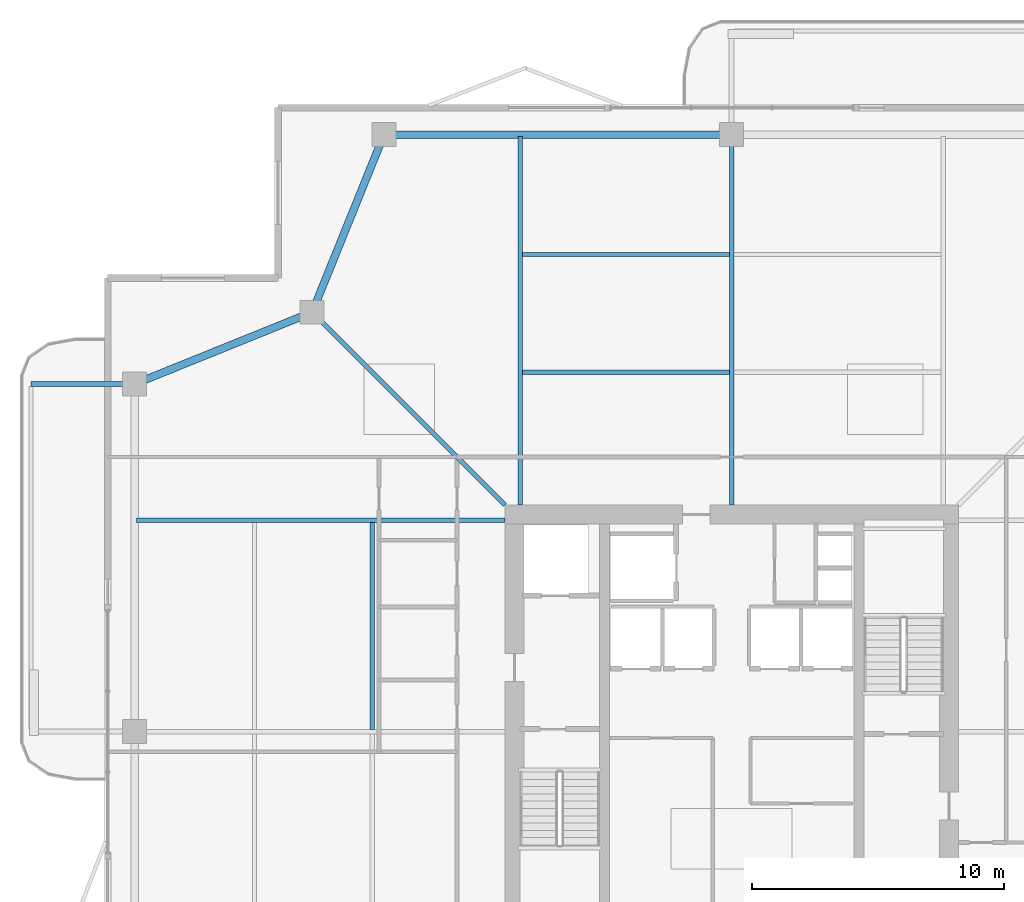
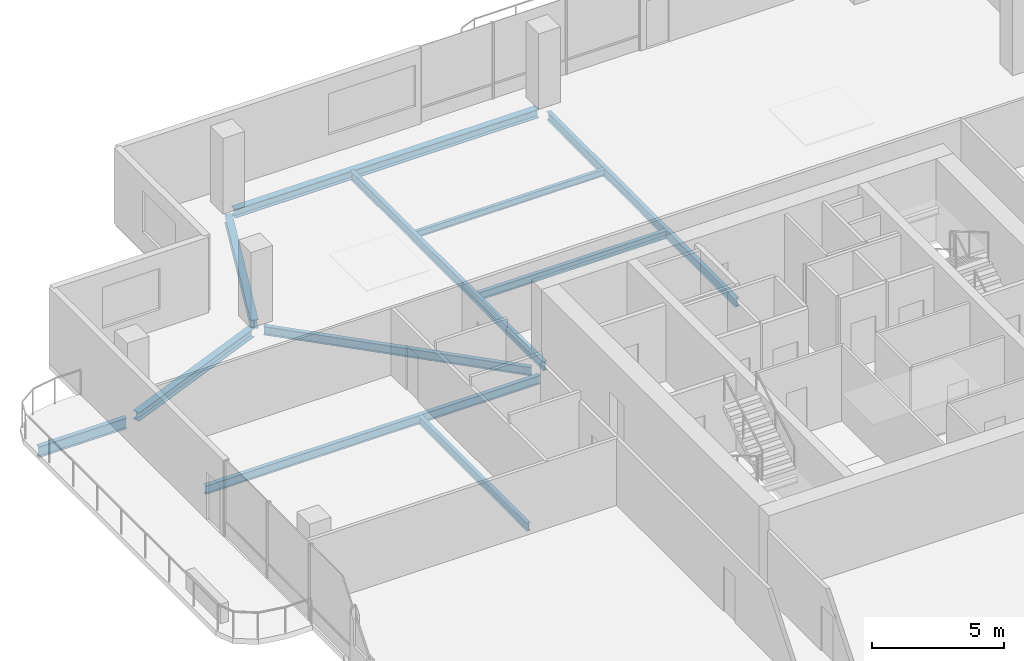
# One storey, part 12 of 23: 11 beams.
"""IFC4 building model written with IfcOpenShell, lengths in metres."""

from ifc_helpers import new_model, si_unit, direction, frame, origin, origin_2d, place, context, subcontext, project, spatial, i_section, extrude, material, material_profile, profile_set, type_object, element, save


model = new_model("IFC4")

# Units and contexts
model_context = context("Model", 3, precision=1e-05, world=origin(), true_north=direction((0.0, 1.0)))
body_context = subcontext(model_context, "Body", "Model", "MODEL_VIEW")
ifc_project = project(units=[si_unit("LENGTHUNIT", "METRE"), si_unit("AREAUNIT", "SQUARE_METRE"), si_unit("VOLUMEUNIT", "CUBIC_METRE"), si_unit("PLANEANGLEUNIT", "RADIAN"), si_unit("MASSUNIT", "GRAM", prefix="KILO")], contexts=[model_context])

# Site, building, storey
site_placement = place(None, origin())
site = spatial("IfcSite", under=ifc_project, at=site_placement, CompositionType="ELEMENT")
building_placement = place(site_placement, origin())
building = spatial("IfcBuilding", under=site, at=building_placement, Name="Belovzor Exchange Tower", CompositionType="ELEMENT")
storey_placement = place(building_placement, frame((0.0, 0.0, 276.60009765625)))
storey = spatial("IfcBuildingStorey", under=building, at=storey_placement, Name="L69", CompositionType="ELEMENT", Elevation=276.60009765625)

# Beams
ifc_material_1 = material(Name="Steel S355", Category="steel")
ifc_material_profile_1 = material_profile(ifc_material_1, i_section(OverallWidth=0.199951171875, OverallDepth=0.5, WebThickness=0.01025390625, FlangeThickness=0.01611328125, at=origin_2d()))
ifc_profile_set_1 = profile_set([ifc_material_profile_1], Name="Steel S355")
beam_type_1 = type_object("IfcBeamType", Name="Planted Balcony Cantilever Beam IPE 500", PredefinedType="BEAM", material=ifc_profile_set_1)
beam_1_placement = place(storey_placement, frame((4.839111328125, 42.60009765625, -0.5), z_axis=(-1.0, 0.0, 0.0), x_axis=(0.0, -1.0, 0.0)))
element("IfcBeam", 1, at=beam_1_placement, inside=storey, type_object=beam_type_1, Name="BC-500 Planted Balcony Cantilever Beam IPE 500", PredefinedType="BEAM", context=body_context, shape_type="SweptSolid", body=[
    extrude(i_section(OverallWidth=0.199951171875, OverallDepth=0.5, WebThickness=0.01025390625, FlangeThickness=0.01611328125, at=origin_2d()), origin(), (0.0, 0.0, 1.0), 3.85009765625),
])
ifc_material_2 = material(Name="Steel S355", Category="steel")
ifc_material_profile_2 = material_profile(ifc_material_2, i_section(OverallWidth=0.169921875, OverallDepth=0.360107421875, WebThickness=0.008056640625, FlangeThickness=0.0126953125, at=origin_2d()))
ifc_profile_set_2 = profile_set([ifc_material_profile_2], Name="Steel S355")
beam_type_2 = type_object("IfcBeamType", Name="Secondary Infill Floor Joist IPE 360", PredefinedType="BEAM", material=ifc_profile_set_2)
beam_2_placement = place(storey_placement, frame((20.489990234375, 43.06494140625, -0.43017578125), z_axis=(1.0, 0.0, 0.0), x_axis=(0.0, 1.0, 0.0)))
element("IfcBeam", 2, at=beam_2_placement, inside=storey, type_object=beam_type_2, Name="FJ-360 Secondary Infill Floor Joist IPE 360", PredefinedType="BEAM", context=body_context, shape_type="SweptSolid", body=[
    extrude(i_section(OverallWidth=0.169921875, OverallDepth=0.360107421875, WebThickness=0.008056640625, FlangeThickness=0.0126953125, at=origin_2d()), origin(), (0.0, 0.0, 1.0), 8.219970703125),
])
beam_3_placement = place(storey_placement, frame((14.534912109375, 28.889892578125, -0.43017578125), z_axis=(0.0, 1.0, 0.0), x_axis=(-1.0, 0.0, 0.0)))
element("IfcBeam", 3, at=beam_3_placement, inside=storey, type_object=beam_type_2, Name="FJ-360 Secondary Infill Floor Joist IPE 360", PredefinedType="BEAM", context=body_context, shape_type="SweptSolid", body=[
    extrude(i_section(OverallWidth=0.169921875, OverallDepth=0.360107421875, WebThickness=0.008056640625, FlangeThickness=0.0126953125, at=origin_2d()), origin(), (0.0, 0.0, 1.0), 8.22021484375),
])
ifc_material_3 = material(Name="Steel S355", Category="steel")
ifc_material_profile_3 = material_profile(ifc_material_3, i_section(OverallWidth=0.14990234375, OverallDepth=0.300048828125, WebThickness=0.007080078125, FlangeThickness=0.0107421875, at=origin_2d()))
ifc_profile_set_3 = profile_set([ifc_material_profile_3], Name="Steel S355")
beam_type_3 = type_object("IfcBeamType", Name="Secondary Trim Floor Joist IPE 300", PredefinedType="BEAM", material=ifc_profile_set_3)
beam_4_placement = place(storey_placement, frame((20.489990234375, 47.7451171875, -0.400146484375), z_axis=(1.0, 0.0, 0.0), x_axis=(0.0, 1.0, 0.0)))
element("IfcBeam", 4, at=beam_4_placement, inside=storey, type_object=beam_type_3, Name="FJ-300 Secondary Trim Floor Joist IPE 300", PredefinedType="BEAM", context=body_context, shape_type="SweptSolid", body=[
    extrude(i_section(OverallWidth=0.14990234375, OverallDepth=0.300048828125, WebThickness=0.007080078125, FlangeThickness=0.0107421875, at=origin_2d()), origin(), (0.0, 0.0, 1.0), 8.219970703125),
])
ifc_material_4 = material(Name="Steel S355", Category="steel")
ifc_material_profile_4 = material_profile(ifc_material_4, i_section(OverallWidth=0.300048828125, OverallDepth=0.39990234375, WebThickness=0.013427734375, FlangeThickness=0.02392578125, at=origin_2d()))
ifc_profile_set_4 = profile_set([ifc_material_profile_4], Name="Steel S355")
beam_type_4 = type_object("IfcBeamType", Name="Zone 5 Primary Girder HEB 400", PredefinedType="BEAM", material=ifc_profile_set_4)
beam_5_placement = place(storey_placement, frame((28.5390625, 52.5, -0.4501953125), z_axis=(-1.0, 0.0, 0.0), x_axis=(0.0, -1.0, 0.0)))
element("IfcBeam", 5, at=beam_5_placement, inside=storey, type_object=beam_type_4, Name="FG-Z5 Zone 5 Primary Girder HEB 400", PredefinedType="BEAM", context=body_context, shape_type="SweptSolid", body=[
    extrude(i_section(OverallWidth=0.300048828125, OverallDepth=0.39990234375, WebThickness=0.013427734375, FlangeThickness=0.02392578125, at=origin_2d()), origin(), (0.0, 0.0, 1.0), 13.278076171875),
])
beam_6_placement = place(storey_placement, frame((14.902099609375, 52.258056640625, -0.4501953125), z_axis=(-0.374746306278, -0.927127394661, 0.0), x_axis=(0.927127394661, -0.374746306278, 0.0)))
element("IfcBeam", 6, at=beam_6_placement, inside=storey, type_object=beam_type_4, Name="FG-Z5 Zone 5 Primary Girder HEB 400", PredefinedType="BEAM", context=body_context, shape_type="SweptSolid", body=[
    extrude(i_section(OverallWidth=0.300048828125, OverallDepth=0.39990234375, WebThickness=0.013427734375, FlangeThickness=0.02392578125, at=origin_2d()), origin(), (0.0, 0.0, 1.0), 7.082275390625),
])
beam_7_placement = place(storey_placement, frame((11.907958984375, 45.35205078125, -0.4501953125), z_axis=(-0.927122553345, -0.374758283536, 0.0), x_axis=(0.374758283536, -0.927122553345, 0.0)))
element("IfcBeam", 7, at=beam_7_placement, inside=storey, type_object=beam_type_4, Name="FG-Z5 Zone 5 Primary Girder HEB 400", PredefinedType="BEAM", context=body_context, shape_type="SweptSolid", body=[
    extrude(i_section(OverallWidth=0.300048828125, OverallDepth=0.39990234375, WebThickness=0.013427734375, FlangeThickness=0.02392578125, at=origin_2d()), origin(), (0.0, 0.0, 1.0), 7.08203125),
])
ifc_material_5 = material(Name="Steel S355", Category="steel")
ifc_material_profile_5 = material_profile(ifc_material_5, i_section(OverallWidth=0.179931640625, OverallDepth=0.39990234375, WebThickness=0.008544921875, FlangeThickness=0.013427734375, at=origin_2d()))
ifc_profile_set_5 = profile_set([ifc_material_profile_5], Name="Steel S355")
beam_type_5 = type_object("IfcBeamType", Name="Zone 5-6 Radial Composite Floor Beam IPE 400", PredefinedType="BEAM", material=ifc_profile_set_5)
beam_8_placement = place(storey_placement, frame((20.39990234375, 37.800048828125, -0.4501953125), z_axis=(0.0, 1.0, 0.0), x_axis=(-1.0, 0.0, 0.0)))
element("IfcBeam", 8, at=beam_8_placement, inside=storey, type_object=beam_type_5, Name="FB-400 Zone 5-6 Radial Composite Floor Beam IPE 400", PredefinedType="BEAM", context=body_context, shape_type="SweptSolid", body=[
    extrude(i_section(OverallWidth=0.179931640625, OverallDepth=0.39990234375, WebThickness=0.008544921875, FlangeThickness=0.013427734375, at=origin_2d()), origin(), (0.0, 0.0, 1.0), 14.625),
])
beam_9_placement = place(storey_placement, frame((28.800048828125, 37.800048828125, -0.4501953125), z_axis=(0.0, 1.0, 0.0), x_axis=(-1.0, 0.0, 0.0)))
element("IfcBeam", 9, at=beam_9_placement, inside=storey, type_object=beam_type_5, Name="FB-400 Zone 5-6 Radial Composite Floor Beam IPE 400", PredefinedType="BEAM", context=body_context, shape_type="SweptSolid", body=[
    extrude(i_section(OverallWidth=0.179931640625, OverallDepth=0.39990234375, WebThickness=0.008544921875, FlangeThickness=0.013427734375, at=origin_2d()), origin(), (0.0, 0.0, 1.0), 14.281982421875),
])
beam_10_placement = place(storey_placement, frame((19.800048828125, 37.199951171875, -0.4501953125), z_axis=(-1.0, 0.0, 0.0), x_axis=(0.0, -1.0, 0.0)))
element("IfcBeam", 10, at=beam_10_placement, inside=storey, type_object=beam_type_5, Name="FB-400 Zone 5-6 Radial Composite Floor Beam IPE 400", PredefinedType="BEAM", context=body_context, shape_type="SweptSolid", body=[
    extrude(i_section(OverallWidth=0.179931640625, OverallDepth=0.39990234375, WebThickness=0.008544921875, FlangeThickness=0.013427734375, at=origin_2d()), origin(), (0.0, 0.0, 1.0), 14.625),
])
beam_11_placement = place(storey_placement, frame((19.800048828125, 37.800048828125, -0.4501953125), z_axis=(-0.707071845944, 0.707141714703, 0.0), x_axis=(-0.707141714703, -0.707071845944, 0.0)))
element("IfcBeam", 11, at=beam_11_placement, inside=storey, type_object=beam_type_5, Name="FB-400 Zone 5-6 Radial Composite Floor Beam IPE 400", PredefinedType="BEAM", context=body_context, shape_type="SweptSolid", body=[
    extrude(i_section(OverallWidth=0.179931640625, OverallDepth=0.39990234375, WebThickness=0.008544921875, FlangeThickness=0.013427734375, at=origin_2d()), origin(), (0.0, 0.0, 1.0), 10.48291015625),
])

save(model, "model.ifc")
